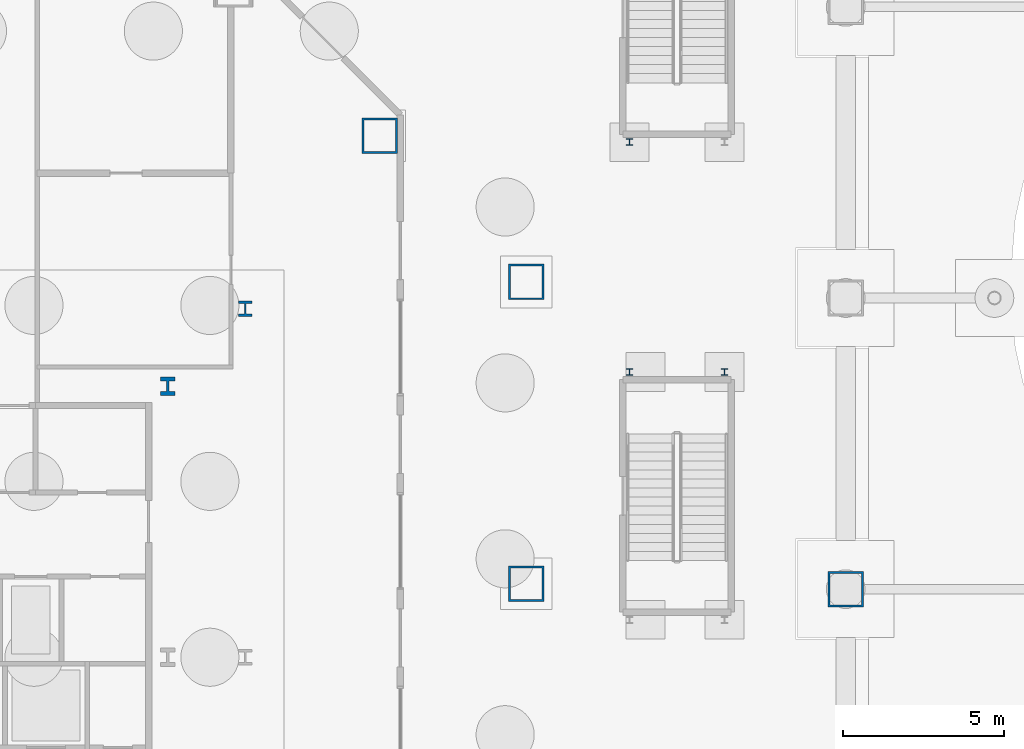
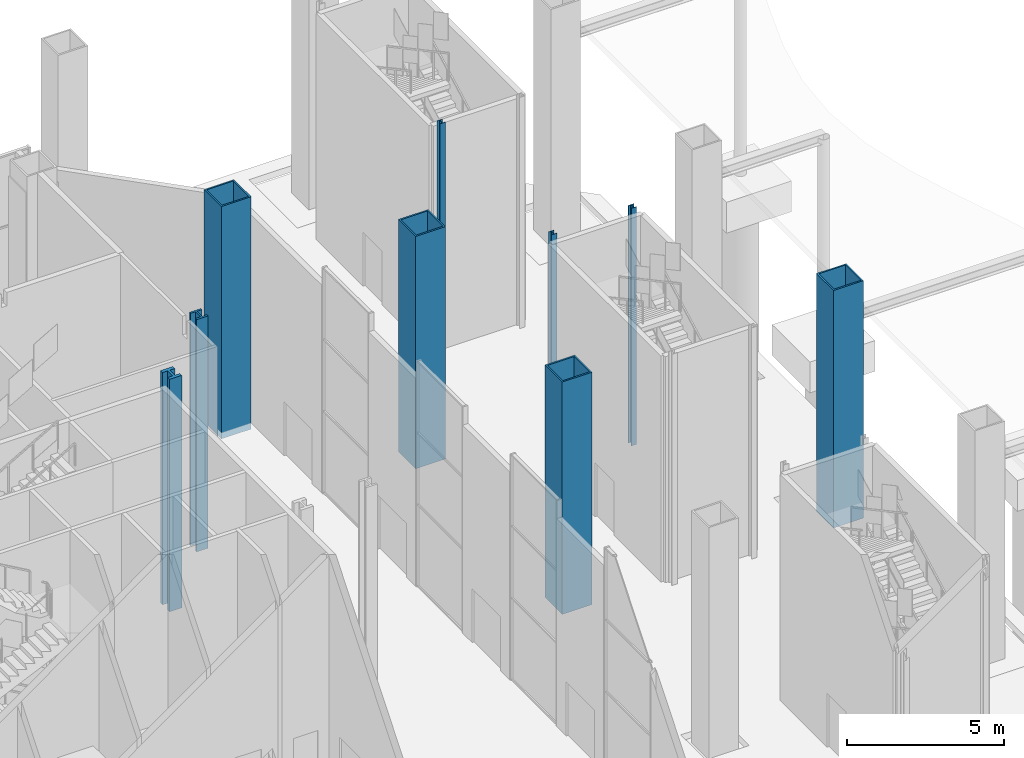
# One storey, part 10 of 38: 9 columns.
"""IFC4 building model written with IfcOpenShell, lengths in metres."""

from ifc_helpers import new_model, si_unit, direction, frame, origin, origin_2d, place, context, subcontext, project, spatial, hollow_rectangle, i_section, extrude, material, material_profile, profile_set, type_object, element, save


model = new_model("IFC4")

# Units and contexts
model_context = context("Model", 3, precision=1e-05, world=origin(), true_north=direction((0.0, 1.0)))
body_context = subcontext(model_context, "Body", "Model", "MODEL_VIEW")
ifc_project = project(units=[si_unit("LENGTHUNIT", "METRE"), si_unit("AREAUNIT", "SQUARE_METRE"), si_unit("VOLUMEUNIT", "CUBIC_METRE"), si_unit("PLANEANGLEUNIT", "RADIAN"), si_unit("MASSUNIT", "GRAM", prefix="KILO")], contexts=[model_context])

# Site, building, storey
site_placement = place(None, origin())
site = spatial("IfcSite", under=ifc_project, at=site_placement, CompositionType="ELEMENT")
building_placement = place(site_placement, origin())
building = spatial("IfcBuilding", under=site, at=building_placement, Name="Cairn Pilgrim Tower", CompositionType="ELEMENT")
storey_placement = place(building_placement, origin())
storey = spatial("IfcBuildingStorey", under=building, at=storey_placement, Name="L00", CompositionType="ELEMENT", Elevation=0.0)

# Columns
ifc_material_1 = material(Name="Structural steel S460M", Category="steel")
ifc_material_profile_1 = material_profile(ifc_material_1, hollow_rectangle(XDim=1.10009765625, YDim=1.10009765625, WallThickness=0.06005859375, at=origin_2d()), Name="BOX 1100x1100x60")
ifc_profile_set_1 = profile_set([ifc_material_profile_1], Name="Structural steel S460M")
column_type_1 = type_object("IfcColumnType", Name="BOX 1100x1100x60", PredefinedType="COLUMN", material=ifc_profile_set_1)
for number, where, z_axis, x_axis, name in (
    (1, (27.89990234375, 4.67578125, -0.25), (0.0, 0.0, 1.0), (1.0, 0.0, 0.0), "PC1-E3"),
    (2, (27.89990234375, 14.027099609375, -0.25), (0.0, 0.0, 1.0), (1.0, 0.0, 0.0), "PC1-NE1"),
    (3, (23.363525390625, 18.563720703125, -0.25), (0.0, 0.0, 1.0), (1.0, 0.0, 0.0), "PC1-NE2"),
):
    element("IfcColumn", number, at=place(storey_placement, frame(where, z_axis=z_axis, x_axis=x_axis)), inside=storey, type_object=column_type_1, Name=name, PredefinedType="COLUMN", context=body_context, shape_type="SweptSolid", body=[
        extrude(hollow_rectangle(XDim=1.10009765625, YDim=1.10009765625, WallThickness=0.06005859375, at=origin_2d()), origin(), (0.0, 0.0, 1.0), 9.050048828125),
    ])
ifc_material_profile_2 = material_profile(ifc_material_1, i_section(OverallWidth=0.4541015625, OverallDepth=0.569091796875, WebThickness=0.077880859375, FlangeThickness=0.125, FilletRadius=0.014892578125, at=origin_2d()), Name="HD 400x1086")
ifc_profile_set_2 = profile_set([ifc_material_profile_2], Name="Structural steel S460M")
column_type_2 = type_object("IfcColumnType", Name="HD 400x1086", PredefinedType="COLUMN", material=ifc_profile_set_2)
column_1_placement = place(storey_placement, frame((16.800048828125, 10.800048828125, -0.25), z_axis=(0.0, 0.0, 1.0), x_axis=(1.0, 0.0, 0.0)))
element("IfcColumn", 4, at=column_1_placement, inside=storey, type_object=column_type_2, Name="KC-8", PredefinedType="COLUMN", context=body_context, shape_type="SweptSolid", body=[
    extrude(i_section(OverallWidth=0.4541015625, OverallDepth=0.569091796875, WebThickness=0.077880859375, FlangeThickness=0.125, FilletRadius=0.014892578125, at=origin_2d()), origin(), (0.0, 0.0, 1.0), 9.050048828125),
])
ifc_material_profile_3 = material_profile(ifc_material_1, i_section(OverallWidth=0.424072265625, OverallDepth=0.47412109375, WebThickness=0.047607421875, FlangeThickness=0.0771484375, FilletRadius=0.014892578125, at=origin_2d()), Name="HD 400x634")
ifc_profile_set_3 = profile_set([ifc_material_profile_3], Name="Structural steel S460M")
column_type_3 = type_object("IfcColumnType", Name="HD 400x634", PredefinedType="COLUMN", material=ifc_profile_set_3)
column_2_placement = place(storey_placement, frame((19.199951171875, 13.199951171875, -0.25), z_axis=(0.0, 0.0, 1.0), x_axis=(1.0, 0.0, 0.0)))
element("IfcColumn", 5, at=column_2_placement, inside=storey, type_object=column_type_3, Name="IC-8", PredefinedType="COLUMN", context=body_context, shape_type="SweptSolid", body=[
    extrude(i_section(OverallWidth=0.424072265625, OverallDepth=0.47412109375, WebThickness=0.047607421875, FlangeThickness=0.0771484375, FilletRadius=0.014892578125, at=origin_2d()), origin(), (0.0, 0.0, 1.0), 9.050048828125),
])
ifc_material_profile_4 = material_profile(ifc_material_1, hollow_rectangle(XDim=1.10009765625, YDim=1.10009765625, WallThickness=0.06005859375, at=origin_2d()), Name="BOX 1100x1100x60")
ifc_profile_set_4 = profile_set([ifc_material_profile_4], Name="Structural steel S460M")
column_type_4 = type_object("IfcColumnType", Name="PILOTIS CFT 1100", PredefinedType="COLUMN", material=ifc_profile_set_4)
column_3_placement = place(storey_placement, frame((37.800048828125, 4.51025390625, -0.25), z_axis=(0.0, 0.0, 1.0), x_axis=(1.0, 0.0, 0.0)))
element("IfcColumn", 6, at=column_3_placement, inside=storey, type_object=column_type_4, Name="PILOTIS PL-E4", PredefinedType="COLUMN", context=body_context, shape_type="SweptSolid", body=[
    extrude(hollow_rectangle(XDim=1.10009765625, YDim=1.10009765625, WallThickness=0.06005859375, at=origin_2d()), origin(), (0.0, 0.0, 1.0), 9.25),
])
ifc_material_2 = material(Name="Structural steel S355J2", Category="steel")
ifc_material_profile_5 = material_profile(ifc_material_2, i_section(OverallWidth=0.199951171875, OverallDepth=0.199951171875, WebThickness=0.009033203125, FlangeThickness=0.014892578125, FilletRadius=0.01806640625, at=origin_2d()), Name="HE 200 B")
ifc_profile_set_5 = profile_set([ifc_material_profile_5], Name="Structural steel S355J2")
column_type_5 = type_object("IfcColumnType", Name="STAIR POST HE 200 B", PredefinedType="COLUMN", material=ifc_profile_set_5)
for number, where, z_axis, x_axis, name in (
    (7, (31.10498046875, 11.239990234375, -0.25), (0.0, 0.0, 1.0), (1.0, 0.0, 0.0), "STAIR POST LP-ES3-NA"),
    (8, (34.044921875, 11.239990234375, -0.25), (0.0, 0.0, 1.0), (1.0, 0.0, 0.0), "STAIR POST LP-ES3-NB"),
    (9, (31.10498046875, 18.360107421875, -0.25), (0.0, 0.0, 1.0), (1.0, 0.0, 0.0), "STAIR POST LP-ES4-SA"),
):
    element("IfcColumn", number, at=place(storey_placement, frame(where, z_axis=z_axis, x_axis=x_axis)), inside=storey, type_object=column_type_5, Name=name, PredefinedType="COLUMN", context=body_context, shape_type="SweptSolid", body=[
        extrude(i_section(OverallWidth=0.199951171875, OverallDepth=0.199951171875, WebThickness=0.009033203125, FlangeThickness=0.014892578125, FilletRadius=0.01806640625, at=origin_2d()), origin(), (0.0, 0.0, 1.0), 9.25),
    ])

save(model, "model.ifc")
